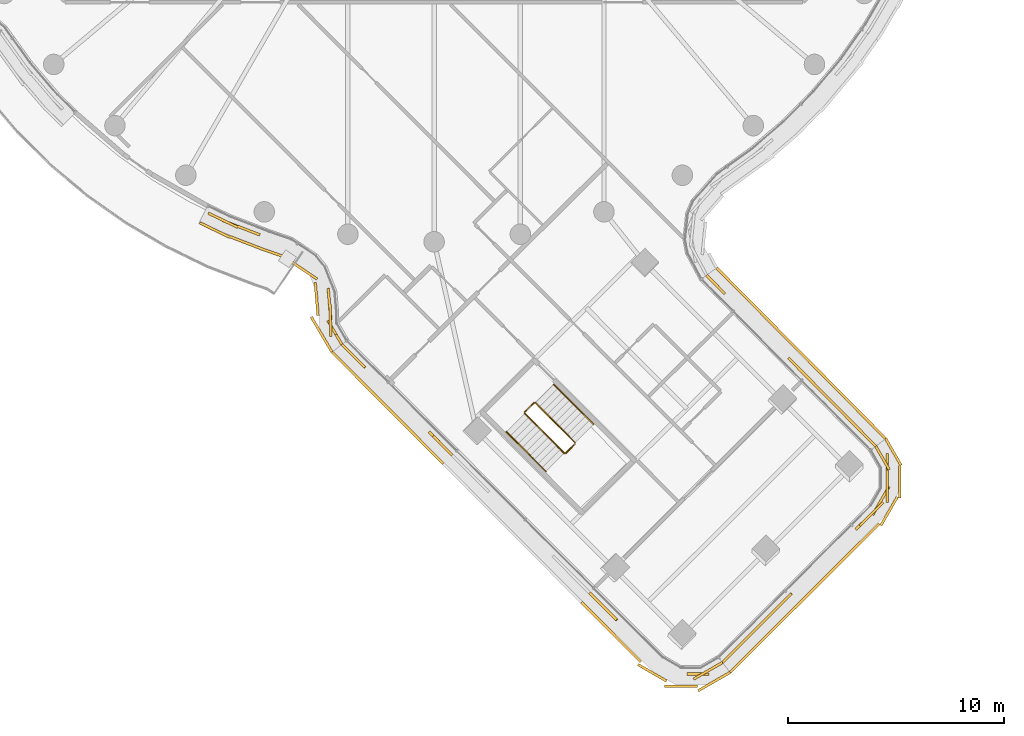
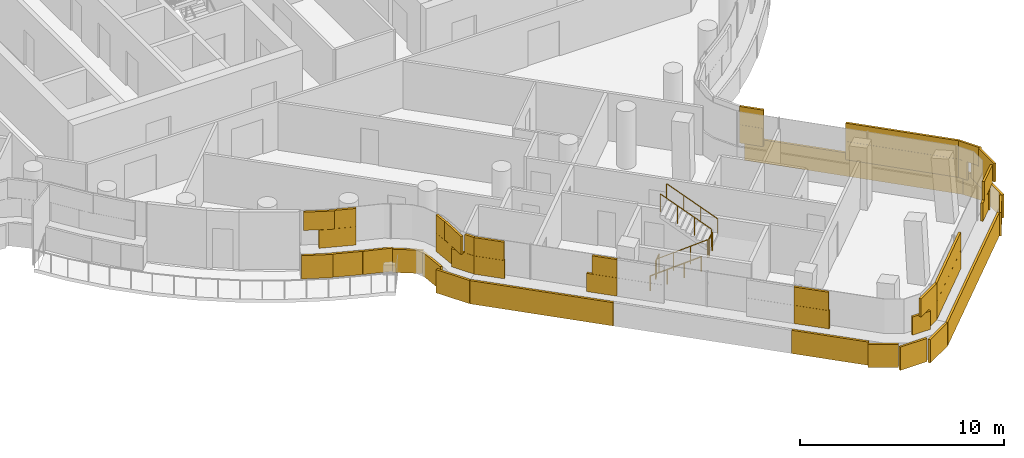
# One storey, part 25 of 31: 6 railings, 5 coverings.
"""IFC4 building model written with IfcOpenShell, lengths in metres."""

from ifc_helpers import new_model, si_unit, direction, frame, origin, origin_2d, place, context, subcontext, project, spatial, rectangle, circle, extrude, material, layer, layer_set, type_object, element, save


model = new_model("IFC4")

# Units and contexts
model_context = context("Model", 3, precision=1e-05, world=origin(), true_north=direction((0.0, 1.0)))
body_context = subcontext(model_context, "Body", "Model", "MODEL_VIEW")
ifc_project = project(units=[si_unit("LENGTHUNIT", "METRE"), si_unit("AREAUNIT", "SQUARE_METRE"), si_unit("VOLUMEUNIT", "CUBIC_METRE"), si_unit("PLANEANGLEUNIT", "RADIAN"), si_unit("MASSUNIT", "GRAM", prefix="KILO")], contexts=[model_context])

# Site, building, storey
site_placement = place(None, origin())
site = spatial("IfcSite", under=ifc_project, at=site_placement, CompositionType="ELEMENT")
building_placement = place(site_placement, origin())
building = spatial("IfcBuilding", under=site, at=building_placement, Name="Tamarind Cross Interchange Tower", CompositionType="ELEMENT")
storey_placement = place(building_placement, frame((0.0, 0.0, 196.89990234375)))
storey = spatial("IfcBuildingStorey", under=building, at=storey_placement, Name="L49", CompositionType="ELEMENT", Elevation=196.89990234375)

# Railings
ifc_material_1 = material(Name="Stair guard")
railing_type_1 = type_object("IfcRailingType", Name="Stair guard", PredefinedType="GUARDRAIL", material=ifc_material_1)
railing_1_placement = place(storey_placement, frame((4.19580078125, -30.9501953125, 0.163818359375)))
element("IfcRailing", 1, at=railing_1_placement, inside=storey, type_object=railing_type_1, Name="L49 ST6 stair guard 1", PredefinedType="GUARDRAIL", context=body_context, shape_type="SweptSolid", body=[
    extrude(circle(Radius=0.02392578125, at=origin_2d()), frame((0.0, 0.0, 1.076171875), z_axis=(0.59770750568, -0.599217470128, 0.532620090822), x_axis=(0.707998258763, 0.70621417827, 0.0)), (0.0, 0.0, 1.0), 3.072021484375),
    extrude(circle(Radius=0.02099609375, at=origin_2d()), origin(), (0.0, 0.0, 1.0), 1.052001953125),
    extrude(circle(Radius=0.02099609375, at=origin_2d()), frame((0.612060546875, -0.613525390625, 0.54541015625)), (0.0, 0.0, 1.0), 1.052001953125),
    extrude(circle(Radius=0.02099609375, at=origin_2d()), frame((1.22412109375, -1.227294921875, 1.0908203125)), (0.0, 0.0, 1.0), 1.052001953125),
    extrude(circle(Radius=0.02099609375, at=origin_2d()), frame((1.836181640625, -1.8408203125, 1.63623046875)), (0.0, 0.0, 1.0), 1.052001953125),
])
railing_2_placement = place(storey_placement, frame((6.1025390625, -32.791259765625, 1.800048828125)))
element("IfcRailing", 2, at=railing_2_placement, inside=storey, type_object=railing_type_1, Name="L49 ST6 stair guard 2", PredefinedType="GUARDRAIL", context=body_context, shape_type="SweptSolid", body=[
    extrude(circle(Radius=0.02392578125, at=origin_2d()), frame((0.0, 0.0, 1.076171875), z_axis=(0.70792001417, 0.706292611839, 0.0), x_axis=(-0.706292611839, 0.70792001417, 0.0)), (0.0, 0.0, 1.0), 0.60009765625),
    extrude(circle(Radius=0.02099609375, at=origin_2d()), origin(), (0.0, 0.0, 1.0), 1.052001953125),
    extrude(circle(Radius=0.02099609375, at=origin_2d()), frame((0.4248046875, 0.423828125, 0.0)), (0.0, 0.0, 1.0), 1.052001953125),
])
railing_3_placement = place(storey_placement, frame((6.527587890625, -32.296875, 1.963623046875)))
element("IfcRailing", 3, at=railing_3_placement, inside=storey, type_object=railing_type_1, Name="L49 ST6 stair guard 3", PredefinedType="GUARDRAIL", context=body_context, shape_type="SweptSolid", body=[
    extrude(circle(Radius=0.02392578125, at=origin_2d()), frame((0.0, 0.0, 1.076171875), z_axis=(-0.597682205466, 0.599192105999, 0.532677014126), x_axis=(-0.707998258763, -0.70621417827, 0.0)), (0.0, 0.0, 1.0), 3.072265625),
    extrude(circle(Radius=0.02099609375, at=origin_2d()), origin(), (0.0, 0.0, 1.0), 1.052001953125),
    extrude(circle(Radius=0.02099609375, at=origin_2d()), frame((-0.612060546875, 0.613525390625, 0.54541015625)), (0.0, 0.0, 1.0), 1.052001953125),
    extrude(circle(Radius=0.02099609375, at=origin_2d()), frame((-1.22412109375, 1.227294921875, 1.091064453125)), (0.0, 0.0, 1.0), 1.052001953125),
    extrude(circle(Radius=0.02099609375, at=origin_2d()), frame((-1.836181640625, 1.8408203125, 1.636474609375)), (0.0, 0.0, 1.0), 1.052001953125),
])
railing_4_placement = place(storey_placement, frame((4.19580078125, -30.879638671875, 0.0)))
element("IfcRailing", 4, at=railing_4_placement, inside=storey, type_object=railing_type_1, Name="L49 ST6 stair guard 4", PredefinedType="GUARDRAIL", context=body_context, shape_type="SweptSolid", body=[
    extrude(circle(Radius=0.02392578125, at=origin_2d()), frame((0.0, 0.0, 1.076171875), z_axis=(0.70792001417, 0.706292611839, 0.0), x_axis=(-0.706292611839, 0.70792001417, 0.0)), (0.0, 0.0, 1.0), 0.60009765625),
    extrude(circle(Radius=0.02099609375, at=origin_2d()), origin(), (0.0, 0.0, 1.0), 1.052001953125),
    extrude(circle(Radius=0.02099609375, at=origin_2d()), frame((0.4248046875, 0.423828125, 0.0)), (0.0, 0.0, 1.0), 1.052001953125),
])
ifc_material_2 = material(Name="Stair handrail")
railing_type_2 = type_object("IfcRailingType", Name="Stair handrail", PredefinedType="HANDRAIL", material=ifc_material_2)
railing_5_placement = place(storey_placement, frame((3.34619140625, -31.7978515625, 0.163818359375)))
element("IfcRailing", 5, at=railing_5_placement, inside=storey, type_object=railing_type_2, Name="L49 ST6 stair handrail 1", PredefinedType="HANDRAIL", context=body_context, shape_type="SweptSolid", body=[
    extrude(circle(Radius=0.02392578125, at=origin_2d()), frame((0.0, 0.0, 0.8759765625), z_axis=(0.59770750568, -0.599217470128, 0.532620090822), x_axis=(0.707998258763, 0.70621417827, 0.0)), (0.0, 0.0, 1.0), 3.072021484375),
    extrude(circle(Radius=0.02099609375, at=origin_2d()), origin(), (0.0, 0.0, 1.0), 0.851806640625),
    extrude(circle(Radius=0.02099609375, at=origin_2d()), frame((0.612060546875, -0.613525390625, 0.54541015625)), (0.0, 0.0, 1.0), 0.851806640625),
    extrude(circle(Radius=0.02099609375, at=origin_2d()), frame((1.22412109375, -1.227294921875, 1.0908203125)), (0.0, 0.0, 1.0), 0.851806640625),
    extrude(circle(Radius=0.02099609375, at=origin_2d()), frame((1.836181640625, -1.8408203125, 1.63623046875)), (0.0, 0.0, 1.0), 0.851806640625),
])
railing_6_placement = place(storey_placement, frame((7.377197265625, -31.449462890625, 1.963623046875)))
element("IfcRailing", 6, at=railing_6_placement, inside=storey, type_object=railing_type_2, Name="L49 ST6 stair handrail 2", PredefinedType="HANDRAIL", context=body_context, shape_type="SweptSolid", body=[
    extrude(circle(Radius=0.02392578125, at=origin_2d()), frame((0.0, 0.0, 0.8759765625), z_axis=(-0.597682205466, 0.599192105999, 0.532677014126), x_axis=(-0.707998258763, -0.70621417827, 0.0)), (0.0, 0.0, 1.0), 3.072265625),
    extrude(circle(Radius=0.02099609375, at=origin_2d()), origin(), (0.0, 0.0, 1.0), 0.851806640625),
    extrude(circle(Radius=0.02099609375, at=origin_2d()), frame((-0.612060546875, 0.613525390625, 0.54541015625)), (0.0, 0.0, 1.0), 0.851806640625),
    extrude(circle(Radius=0.02099609375, at=origin_2d()), frame((-1.22412109375, 1.227294921875, 1.091064453125)), (0.0, 0.0, 1.0), 0.851806640625),
    extrude(circle(Radius=0.02099609375, at=origin_2d()), frame((-1.836181640625, 1.8408203125, 1.636474609375)), (0.0, 0.0, 1.0), 0.851806640625),
])

# Coverings
ifc_material_3 = material(Name="Terracotta", Category="masonry")
ifc_layer = layer(ifc_material_3, 0.1201171875)
ifc_layer_set = layer_set([ifc_layer], Name="Terracotta")
covering_type = type_object("IfcCoveringType", Name="Terracotta baguette screen unit", PredefinedType="MOLDING", material=ifc_layer_set)
covering_1_placement = place(storey_placement, origin())
element("IfcCovering", 7, at=covering_1_placement, inside=storey, type_object=covering_type, Name="SCR-L49-00-00", PredefinedType="MOLDING", context=body_context, shape_type="SweptSolid", body=[
    extrude(rectangle(XDim=0.760009765625, YDim=0.1201171875, at=origin_2d()), frame((13.62255859375, -42.2236328125, 1.404296875), z_axis=(0.0, 0.0, 1.0), x_axis=(0.708014520272, 0.706197875304, 0.0)), (0.0, 0.0, 1.0), 1.092041015625),
    extrude(rectangle(XDim=1.52001953125, YDim=0.1201171875, at=origin_2d()), frame((14.4189453125, -41.428955078125, 1.404296875), z_axis=(0.0, 0.0, 1.0), x_axis=(0.708014520272, 0.706197875304, 0.0)), (0.0, 0.0, 1.0), 1.092041015625),
    extrude(rectangle(XDim=1.52001953125, YDim=0.1201171875, at=origin_2d()), frame((15.48095703125, -40.36962890625, 1.404296875), z_axis=(0.0, 0.0, 1.0), x_axis=(0.708014520272, 0.706197875304, 0.0)), (0.0, 0.0, 1.0), 1.092041015625),
    extrude(rectangle(XDim=0.78466796875, YDim=0.1201171875, at=origin_2d()), frame((16.286376953125, -39.566650390625, 1.404296875), z_axis=(0.0, 0.0, 1.0), x_axis=(0.708014520272, 0.706197875304, 0.0)), (0.0, 0.0, 1.0), 1.092041015625),
    extrude(rectangle(XDim=1.03515625, YDim=0.1201171875, at=origin_2d()), frame((19.897216796875, -35.96484375, 1.404296875), z_axis=(0.0, 0.0, 1.0), x_axis=(0.708014520272, 0.706197875304, 0.0)), (0.0, 0.0, 1.0), 1.092041015625),
    extrude(rectangle(XDim=1.52001953125, YDim=0.1201171875, at=origin_2d()), frame((20.692626953125, -34.99755859375, 1.404296875), z_axis=(0.0, 0.0, 1.0), x_axis=(0.501112050779, 0.865382408282, 0.0)), (0.0, 0.0, 1.0), 1.092041015625),
    extrude(rectangle(XDim=1.52001953125, YDim=0.1201171875, at=origin_2d()), frame((20.991943359375, -33.57763671875, 1.404296875), z_axis=(0.0, 0.0, 1.0), x_axis=(0.001284561976, 0.99999917495, 0.0)), (0.0, 0.0, 1.0), 1.092041015625),
    extrude(rectangle(XDim=0.509521484375, YDim=0.1201171875, at=origin_2d()), frame((20.58251953125, -32.687255859375, 1.404296875), z_axis=(0.0, 0.0, 1.0), x_axis=(-0.498887124171, 0.866666970258, 0.0)), (0.0, 0.0, 1.0), 1.092041015625),
    extrude(rectangle(XDim=1.510009765625, YDim=0.1201171875, at=origin_2d()), frame((13.887939453125, -41.958740234375, 2.50390625), z_axis=(0.0, 0.0, 1.0), x_axis=(0.708014520272, 0.706197875304, 0.0)), (0.0, 0.0, 1.0), 1.092041015625),
    extrude(rectangle(XDim=1.52001953125, YDim=0.1201171875, at=origin_2d()), frame((14.949951171875, -40.8994140625, 2.50390625), z_axis=(0.0, 0.0, 1.0), x_axis=(0.708014520272, 0.706197875304, 0.0)), (0.0, 0.0, 1.0), 1.092041015625),
    extrude(rectangle(XDim=1.52001953125, YDim=0.1201171875, at=origin_2d()), frame((16.01220703125, -39.840087890625, 2.50390625), z_axis=(0.0, 0.0, 1.0), x_axis=(0.708014520272, 0.706197875304, 0.0)), (0.0, 0.0, 1.0), 1.092041015625),
    extrude(rectangle(XDim=1.52001953125, YDim=0.1201171875, at=origin_2d()), frame((20.26025390625, -35.60302734375, 2.50390625), z_axis=(0.0, 0.0, 1.0), x_axis=(0.708014520272, 0.706197875304, 0.0)), (0.0, 0.0, 1.0), 1.092041015625),
    extrude(rectangle(XDim=1.52001953125, YDim=0.1201171875, at=origin_2d()), frame((20.990966796875, -34.32763671875, 2.50390625), z_axis=(0.0, 0.0, 1.0), x_axis=(0.001284561976, 0.99999917495, 0.0)), (0.0, 0.0, 1.0), 1.092041015625),
    extrude(rectangle(XDim=1.259521484375, YDim=0.1201171875, at=origin_2d()), frame((20.76953125, -33.01220703125, 2.50390625), z_axis=(0.0, 0.0, 1.0), x_axis=(-0.498887124171, 0.866666970258, 0.0)), (0.0, 0.0, 1.0), 1.092041015625),
    extrude(rectangle(XDim=0.760009765625, YDim=0.1201171875, at=origin_2d()), frame((13.97802734375, -42.6796875, 0.004150390625), z_axis=(0.0, 0.0, 1.0), x_axis=(0.708014520272, 0.706197875304, 0.0)), (0.0, 0.0, 1.0), 1.39208984375),
    extrude(rectangle(XDim=1.52001953125, YDim=0.1201171875, at=origin_2d()), frame((14.77099609375, -41.888916015625, 0.004150390625), z_axis=(0.0, 0.0, 1.0), x_axis=(0.708014520272, 0.706197875304, 0.0)), (0.0, 0.0, 1.0), 1.39208984375),
    extrude(rectangle(XDim=1.52001953125, YDim=0.1201171875, at=origin_2d()), frame((15.8330078125, -40.82958984375, 0.004150390625), z_axis=(0.0, 0.0, 1.0), x_axis=(0.708014520272, 0.706197875304, 0.0)), (0.0, 0.0, 1.0), 1.39208984375),
    extrude(rectangle(XDim=1.52001953125, YDim=0.1201171875, at=origin_2d()), frame((16.89501953125, -39.770263671875, 0.004150390625), z_axis=(0.0, 0.0, 1.0), x_axis=(0.708014520272, 0.706197875304, 0.0)), (0.0, 0.0, 1.0), 1.39208984375),
    extrude(rectangle(XDim=1.52001953125, YDim=0.1201171875, at=origin_2d()), frame((17.95703125, -38.7109375, 0.004150390625), z_axis=(0.0, 0.0, 1.0), x_axis=(0.708014520272, 0.706197875304, 0.0)), (0.0, 0.0, 1.0), 1.39208984375),
    extrude(rectangle(XDim=1.52001953125, YDim=0.1201171875, at=origin_2d()), frame((19.01904296875, -37.651611328125, 0.004150390625), z_axis=(0.0, 0.0, 1.0), x_axis=(0.708014520272, 0.706197875304, 0.0)), (0.0, 0.0, 1.0), 1.39208984375),
    extrude(rectangle(XDim=1.52001953125, YDim=0.1201171875, at=origin_2d()), frame((20.0810546875, -36.59228515625, 0.004150390625), z_axis=(0.0, 0.0, 1.0), x_axis=(0.708014520272, 0.706197875304, 0.0)), (0.0, 0.0, 1.0), 1.39208984375),
    extrude(rectangle(XDim=1.52001953125, YDim=0.1201171875, at=origin_2d()), frame((21.07568359375, -35.481201171875, 0.004150390625), z_axis=(0.0, 0.0, 1.0), x_axis=(0.501112050779, 0.865382408282, 0.0)), (0.0, 0.0, 1.0), 1.39208984375),
    extrude(rectangle(XDim=1.52001953125, YDim=0.1201171875, at=origin_2d()), frame((21.565185546875, -34.112548828125, 0.004150390625), z_axis=(0.0, 0.0, 1.0), x_axis=(0.001284561976, 0.99999917495, 0.0)), (0.0, 0.0, 1.0), 1.39208984375),
    extrude(rectangle(XDim=1.42578125, YDim=0.1201171875, at=origin_2d()), frame((21.27392578125, -32.73779296875, 0.004150390625), z_axis=(0.0, 0.0, 1.0), x_axis=(-0.498887124171, 0.866666970258, 0.0)), (0.0, 0.0, 1.0), 1.39208984375),
])
covering_2_placement = place(storey_placement, origin())
element("IfcCovering", 8, at=covering_2_placement, inside=storey, type_object=covering_type, Name="SCR-L49-01-00", PredefinedType="MOLDING", context=body_context, shape_type="SweptSolid", body=[
    extrude(rectangle(XDim=0.760009765625, YDim=0.1201171875, at=origin_2d()), frame((20.194091796875, -32.204345703125, 1.404296875), z_axis=(0.0, 0.0, 1.0), x_axis=(-0.703443968525, 0.710750718006, 0.0)), (0.0, 0.0, 1.0), 1.092041015625),
    extrude(rectangle(XDim=1.52001953125, YDim=0.1201171875, at=origin_2d()), frame((19.402587890625, -31.40478515625, 1.404296875), z_axis=(0.0, 0.0, 1.0), x_axis=(-0.703443968525, 0.710750718006, 0.0)), (0.0, 0.0, 1.0), 1.092041015625),
    extrude(rectangle(XDim=1.52001953125, YDim=0.1201171875, at=origin_2d()), frame((18.347412109375, -30.338623046875, 1.404296875), z_axis=(0.0, 0.0, 1.0), x_axis=(-0.703443968525, 0.710750718006, 0.0)), (0.0, 0.0, 1.0), 1.092041015625),
    extrude(rectangle(XDim=1.52001953125, YDim=0.1201171875, at=origin_2d()), frame((17.292236328125, -29.2724609375, 1.404296875), z_axis=(0.0, 0.0, 1.0), x_axis=(-0.703443968525, 0.710750718006, 0.0)), (0.0, 0.0, 1.0), 1.092041015625),
    extrude(rectangle(XDim=0.5048828125, YDim=0.1201171875, at=origin_2d()), frame((16.590576171875, -28.5634765625, 1.404296875), z_axis=(0.0, 0.0, 1.0), x_axis=(-0.703443968525, 0.710750718006, 0.0)), (0.0, 0.0, 1.0), 1.092041015625),
    extrude(rectangle(XDim=1.19677734375, YDim=0.1201171875, at=origin_2d()), frame((13.041259765625, -24.97705078125, 1.404296875), z_axis=(0.0, 0.0, 1.0), x_axis=(-0.703443968525, 0.710750718006, 0.0)), (0.0, 0.0, 1.0), 1.092041015625),
    extrude(rectangle(XDim=1.510009765625, YDim=0.1201171875, at=origin_2d()), frame((19.93017578125, -31.937744140625, 2.50390625), z_axis=(0.0, 0.0, 1.0), x_axis=(-0.703443968525, 0.710750718006, 0.0)), (0.0, 0.0, 1.0), 1.092041015625),
    extrude(rectangle(XDim=1.52001953125, YDim=0.1201171875, at=origin_2d()), frame((18.875, -30.87158203125, 2.50390625), z_axis=(0.0, 0.0, 1.0), x_axis=(-0.703443968525, 0.710750718006, 0.0)), (0.0, 0.0, 1.0), 1.092041015625),
    extrude(rectangle(XDim=1.52001953125, YDim=0.1201171875, at=origin_2d()), frame((17.81982421875, -29.805419921875, 2.50390625), z_axis=(0.0, 0.0, 1.0), x_axis=(-0.703443968525, 0.710750718006, 0.0)), (0.0, 0.0, 1.0), 1.092041015625),
    extrude(rectangle(XDim=1.2548828125, YDim=0.1201171875, at=origin_2d()), frame((16.8544921875, -28.830078125, 2.50390625), z_axis=(0.0, 0.0, 1.0), x_axis=(-0.703443968525, 0.710750718006, 0.0)), (0.0, 0.0, 1.0), 1.092041015625),
    extrude(rectangle(XDim=0.565185546875, YDim=0.1201171875, at=origin_2d()), frame((13.266845703125, -25.205322265625, 2.50390625), z_axis=(0.0, 0.0, 1.0), x_axis=(-0.703443968525, 0.710750718006, 0.0)), (0.0, 0.0, 1.0), 1.092041015625),
    extrude(rectangle(XDim=0.65185546875, YDim=0.1201171875, at=origin_2d()), frame((12.845947265625, -24.77978515625, 2.50390625), z_axis=(0.0, 0.0, 1.0), x_axis=(-0.703443968525, 0.710750718006, 0.0)), (0.0, 0.0, 1.0), 1.092041015625),
    extrude(rectangle(XDim=0.760009765625, YDim=0.1201171875, at=origin_2d()), frame((20.65087890625, -31.849853515625, 0.004150390625), z_axis=(0.0, 0.0, 1.0), x_axis=(-0.703443968525, 0.710750718006, 0.0)), (0.0, 0.0, 1.0), 1.39208984375),
    extrude(rectangle(XDim=1.52001953125, YDim=0.1201171875, at=origin_2d()), frame((19.863037109375, -31.053955078125, 0.004150390625), z_axis=(0.0, 0.0, 1.0), x_axis=(-0.703443968525, 0.710750718006, 0.0)), (0.0, 0.0, 1.0), 1.39208984375),
    extrude(rectangle(XDim=1.52001953125, YDim=0.1201171875, at=origin_2d()), frame((18.807861328125, -29.98779296875, 0.004150390625), z_axis=(0.0, 0.0, 1.0), x_axis=(-0.703443968525, 0.710750718006, 0.0)), (0.0, 0.0, 1.0), 1.39208984375),
    extrude(rectangle(XDim=1.52001953125, YDim=0.1201171875, at=origin_2d()), frame((17.752685546875, -28.921630859375, 0.004150390625), z_axis=(0.0, 0.0, 1.0), x_axis=(-0.703443968525, 0.710750718006, 0.0)), (0.0, 0.0, 1.0), 1.39208984375),
    extrude(rectangle(XDim=1.52001953125, YDim=0.1201171875, at=origin_2d()), frame((16.697509765625, -27.85546875, 0.004150390625), z_axis=(0.0, 0.0, 1.0), x_axis=(-0.703443968525, 0.710750718006, 0.0)), (0.0, 0.0, 1.0), 1.39208984375),
    extrude(rectangle(XDim=1.52001953125, YDim=0.1201171875, at=origin_2d()), frame((15.642333984375, -26.789306640625, 0.004150390625), z_axis=(0.0, 0.0, 1.0), x_axis=(-0.703443968525, 0.710750718006, 0.0)), (0.0, 0.0, 1.0), 1.39208984375),
    extrude(rectangle(XDim=1.52001953125, YDim=0.1201171875, at=origin_2d()), frame((14.587158203125, -25.72314453125, 0.004150390625), z_axis=(0.0, 0.0, 1.0), x_axis=(-0.703443968525, 0.710750718006, 0.0)), (0.0, 0.0, 1.0), 1.39208984375),
    extrude(rectangle(XDim=1.3916015625, YDim=0.1201171875, at=origin_2d()), frame((13.5771484375, -24.70263671875, 0.004150390625), z_axis=(0.0, 0.0, 1.0), x_axis=(-0.703443968525, 0.710750718006, 0.0)), (0.0, 0.0, 1.0), 1.39208984375),
])
covering_3_placement = place(storey_placement, origin())
element("IfcCovering", 9, at=covering_3_placement, inside=storey, type_object=covering_type, Name="SCR-L49-10-01", PredefinedType="MOLDING", context=body_context, shape_type="SweptSolid", body=[
    extrude(rectangle(XDim=1.52001953125, YDim=0.1201171875, at=origin_2d()), frame((-9.082763671875, -22.290283203125, 1.404296875), z_axis=(0.0, 0.0, 1.0), x_axis=(0.933146843667, -0.359495435512, 0.0)), (0.0, 0.0, 1.0), 1.092041015625),
    extrude(rectangle(XDim=0.341796875, YDim=0.1201171875, at=origin_2d()), frame((-8.228271484375, -22.61962890625, 1.404296875), z_axis=(0.0, 0.0, 1.0), x_axis=(0.933146843667, -0.359495435512, 0.0)), (0.0, 0.0, 1.0), 1.092041015625),
    extrude(rectangle(XDim=1.47802734375, YDim=0.1201171875, at=origin_2d()), frame((-4.8447265625, -25.88916015625, 1.404296875), z_axis=(0.0, 0.0, 1.0), x_axis=(0.084883460386, -0.996390886225, 0.0)), (0.0, 0.0, 1.0), 1.092041015625),
    extrude(rectangle(XDim=1.28564453125, YDim=0.1201171875, at=origin_2d()), frame((-4.59765625, -27.205078125, 1.404296875), z_axis=(0.0, 0.0, 1.0), x_axis=(0.50736807767, -0.861729443481, 0.0)), (0.0, 0.0, 1.0), 1.092041015625),
    extrude(rectangle(XDim=1.52001953125, YDim=0.1201171875, at=origin_2d()), frame((-9.775634765625, -22.00439453125, 2.50390625), z_axis=(0.0, 0.0, 1.0), x_axis=(0.900272776334, -0.435326231914, 0.0)), (0.0, 0.0, 1.0), 1.092041015625),
    extrude(rectangle(XDim=1.091796875, YDim=0.1201171875, at=origin_2d()), frame((-8.578125, -22.48486328125, 2.50390625), z_axis=(0.0, 0.0, 1.0), x_axis=(0.933146843667, -0.359495435512, 0.0)), (0.0, 0.0, 1.0), 1.092041015625),
    extrude(rectangle(XDim=0.72802734375, YDim=0.1201171875, at=origin_2d()), frame((-4.87646484375, -25.515625, 2.50390625), z_axis=(0.0, 0.0, 1.0), x_axis=(0.084883460386, -0.996390886225, 0.0)), (0.0, 0.0, 1.0), 1.092041015625),
    extrude(rectangle(XDim=1.52001953125, YDim=0.1201171875, at=origin_2d()), frame((-4.804443359375, -26.621826171875, 2.50390625), z_axis=(0.0, 0.0, 1.0), x_axis=(0.028152482558, -0.999603640312, 0.0)), (0.0, 0.0, 1.0), 1.092041015625),
    extrude(rectangle(XDim=0.53564453125, YDim=0.1201171875, at=origin_2d()), frame((-4.4072265625, -27.5283203125, 2.50390625), z_axis=(0.0, 0.0, 1.0), x_axis=(0.50736807767, -0.861729443481, 0.0)), (0.0, 0.0, 1.0), 1.092041015625),
    extrude(rectangle(XDim=0.053955078125, YDim=0.1201171875, at=origin_2d()), frame((-10.824951171875, -22.134521484375, 0.004150390625), z_axis=(0.0, 0.0, 1.0), x_axis=(0.900272776334, -0.435326231914, 0.0)), (0.0, 0.0, 1.0), 1.39208984375),
    extrude(rectangle(XDim=1.52001953125, YDim=0.1201171875, at=origin_2d()), frame((-10.134521484375, -22.46826171875, 0.004150390625), z_axis=(0.0, 0.0, 1.0), x_axis=(0.900272776334, -0.435326231914, 0.0)), (0.0, 0.0, 1.0), 1.39208984375),
    extrude(rectangle(XDim=1.52001953125, YDim=0.1201171875, at=origin_2d()), frame((-8.74658203125, -23.03515625, 0.004150390625), z_axis=(0.0, 0.0, 1.0), x_axis=(0.933146843667, -0.359495435512, 0.0)), (0.0, 0.0, 1.0), 1.39208984375),
    extrude(rectangle(XDim=1.52001953125, YDim=0.1201171875, at=origin_2d()), frame((-7.33935546875, -23.553466796875, 0.004150390625), z_axis=(0.0, 0.0, 1.0), x_axis=(0.945446581662, -0.325777164982, 0.0)), (0.0, 0.0, 1.0), 1.39208984375),
    extrude(rectangle(XDim=1.52001953125, YDim=0.1201171875, at=origin_2d()), frame((-6.051513671875, -24.3046875, 0.004150390625), z_axis=(0.0, 0.0, 1.0), x_axis=(0.830711967262, -0.556702458632, 0.0)), (0.0, 0.0, 1.0), 1.39208984375),
    extrude(rectangle(XDim=1.52001953125, YDim=0.1201171875, at=origin_2d()), frame((-5.441162109375, -25.65087890625, 0.004150390625), z_axis=(0.0, 0.0, 1.0), x_axis=(0.084883460386, -0.996390886225, 0.0)), (0.0, 0.0, 1.0), 1.39208984375),
    extrude(rectangle(XDim=1.52001953125, YDim=0.1201171875, at=origin_2d()), frame((-5.306640625, -27.1318359375, 0.004150390625), z_axis=(0.0, 0.0, 1.0), x_axis=(0.50736807767, -0.861729443481, 0.0)), (0.0, 0.0, 1.0), 1.39208984375),
    extrude(rectangle(XDim=0.393310546875, YDim=0.1201171875, at=origin_2d()), frame((-4.83154296875, -27.939208984375, 0.004150390625), z_axis=(0.0, 0.0, 1.0), x_axis=(0.50736807767, -0.861729443481, 0.0)), (0.0, 0.0, 1.0), 1.39208984375),
])
covering_4_placement = place(storey_placement, origin())
element("IfcCovering", 10, at=covering_4_placement, inside=storey, type_object=covering_type, Name="SCR-L49-11-00", PredefinedType="MOLDING", context=body_context, shape_type="SweptSolid", body=[
    extrude(rectangle(XDim=0.760009765625, YDim=0.1201171875, at=origin_2d()), frame((-4.009033203125, -28.020263671875, 1.404296875), z_axis=(0.0, 0.0, 1.0), x_axis=(0.706197875304, -0.708014520272, 0.0)), (0.0, 0.0, 1.0), 1.092041015625),
    extrude(rectangle(XDim=0.7802734375, YDim=0.1201171875, at=origin_2d()), frame((-3.472412109375, -28.558349609375, 1.404296875), z_axis=(0.0, 0.0, 1.0), x_axis=(0.706197875304, -0.708014520272, 0.0)), (0.0, 0.0, 1.0), 1.092041015625),
    extrude(rectangle(XDim=1.039794921875, YDim=0.1201171875, at=origin_2d()), frame((0.129150390625, -32.169189453125, 1.404296875), z_axis=(0.0, 0.0, 1.0), x_axis=(0.706197875304, -0.708014520272, 0.0)), (0.0, 0.0, 1.0), 1.092041015625),
    extrude(rectangle(XDim=0.50048828125, YDim=0.1201171875, at=origin_2d()), frame((0.666015625, -32.70751953125, 1.404296875), z_axis=(0.0, 0.0, 1.0), x_axis=(0.706197875304, -0.708014520272, 0.0)), (0.0, 0.0, 1.0), 1.092041015625),
    extrude(rectangle(XDim=1.510009765625, YDim=0.1201171875, at=origin_2d()), frame((-3.744384765625, -28.28564453125, 2.50390625), z_axis=(0.0, 0.0, 1.0), x_axis=(0.706197875304, -0.708014520272, 0.0)), (0.0, 0.0, 1.0), 1.092041015625),
    extrude(rectangle(XDim=1.25048828125, YDim=0.1201171875, at=origin_2d()), frame((0.401123046875, -32.44189453125, 2.50390625), z_axis=(0.0, 0.0, 1.0), x_axis=(0.706197875304, -0.708014520272, 0.0)), (0.0, 0.0, 1.0), 1.092041015625),
    extrude(rectangle(XDim=0.760009765625, YDim=0.1201171875, at=origin_2d()), frame((-4.46337890625, -28.377685546875, 0.004150390625), z_axis=(0.0, 0.0, 1.0), x_axis=(0.706197875304, -0.708014520272, 0.0)), (0.0, 0.0, 1.0), 1.39208984375),
    extrude(rectangle(XDim=1.52001953125, YDim=0.1201171875, at=origin_2d()), frame((-3.67236328125, -29.170654296875, 0.004150390625), z_axis=(0.0, 0.0, 1.0), x_axis=(0.706197875304, -0.708014520272, 0.0)), (0.0, 0.0, 1.0), 1.39208984375),
    extrude(rectangle(XDim=1.52001953125, YDim=0.1201171875, at=origin_2d()), frame((-2.613037109375, -30.232666015625, 0.004150390625), z_axis=(0.0, 0.0, 1.0), x_axis=(0.706197875304, -0.708014520272, 0.0)), (0.0, 0.0, 1.0), 1.39208984375),
    extrude(rectangle(XDim=1.52001953125, YDim=0.1201171875, at=origin_2d()), frame((-1.5537109375, -31.294677734375, 0.004150390625), z_axis=(0.0, 0.0, 1.0), x_axis=(0.706197875304, -0.708014520272, 0.0)), (0.0, 0.0, 1.0), 1.39208984375),
    extrude(rectangle(XDim=1.52001953125, YDim=0.1201171875, at=origin_2d()), frame((-0.49462890625, -32.356689453125, 0.004150390625), z_axis=(0.0, 0.0, 1.0), x_axis=(0.706197875304, -0.708014520272, 0.0)), (0.0, 0.0, 1.0), 1.39208984375),
    extrude(rectangle(XDim=0.552001953125, YDim=0.1201171875, at=origin_2d()), frame((0.222900390625, -33.076171875, 0.004150390625), z_axis=(0.0, 0.0, 1.0), x_axis=(0.706197875304, -0.708014520272, 0.0)), (0.0, 0.0, 1.0), 1.39208984375),
])
covering_5_placement = place(storey_placement, origin())
element("IfcCovering", 11, at=covering_5_placement, inside=storey, type_object=covering_type, Name="SCR-L49-11-02", PredefinedType="MOLDING", context=body_context, shape_type="SweptSolid", body=[
    extrude(rectangle(XDim=1.009521484375, YDim=0.1201171875, at=origin_2d()), frame((7.554931640625, -39.6142578125, 1.404296875), z_axis=(0.0, 0.0, 1.0), x_axis=(0.706197875304, -0.708014520272, 0.0)), (0.0, 0.0, 1.0), 1.092041015625),
    extrude(rectangle(XDim=0.800537109375, YDim=0.1201171875, at=origin_2d()), frame((8.18701171875, -40.247802734375, 1.404296875), z_axis=(0.0, 0.0, 1.0), x_axis=(0.706197875304, -0.708014520272, 0.0)), (0.0, 0.0, 1.0), 1.092041015625),
    extrude(rectangle(XDim=1.01953125, YDim=0.1201171875, at=origin_2d()), frame((12.214599609375, -43.0224609375, 1.404296875), z_axis=(0.0, 0.0, 1.0), x_axis=(0.99999917495, -0.001284561976, 0.0)), (0.0, 0.0, 1.0), 1.092041015625),
    extrude(rectangle(XDim=0.79052734375, YDim=0.1201171875, at=origin_2d()), frame((13.018798828125, -42.68310546875, 1.404296875), z_axis=(0.0, 0.0, 1.0), x_axis=(0.866666970258, 0.498887124171, 0.0)), (0.0, 0.0, 1.0), 1.092041015625),
    extrude(rectangle(XDim=0.259521484375, YDim=0.1201171875, at=origin_2d()), frame((7.290283203125, -39.3486328125, 2.50390625), z_axis=(0.0, 0.0, 1.0), x_axis=(0.706197875304, -0.708014520272, 0.0)), (0.0, 0.0, 1.0), 1.092041015625),
    extrude(rectangle(XDim=1.52001953125, YDim=0.1201171875, at=origin_2d()), frame((7.907958984375, -39.968017578125, 2.50390625), z_axis=(0.0, 0.0, 1.0), x_axis=(0.706197875304, -0.708014520272, 0.0)), (0.0, 0.0, 1.0), 1.092041015625),
    extrude(rectangle(XDim=1.52001953125, YDim=0.1201171875, at=origin_2d()), frame((12.6806640625, -42.877685546875, 2.50390625), z_axis=(0.0, 0.0, 1.0), x_axis=(0.866666970258, 0.498887124171, 0.0)), (0.0, 0.0, 1.0), 1.092041015625),
    extrude(rectangle(XDim=0.04052734375, YDim=0.1201171875, at=origin_2d()), frame((13.34375, -42.495849609375, 2.50390625), z_axis=(0.0, 0.0, 1.0), x_axis=(0.866666970258, 0.498887124171, 0.0)), (0.0, 0.0, 1.0), 1.092041015625),
    extrude(rectangle(XDim=0.8935546875, YDim=0.1201171875, at=origin_2d()), frame((7.141845703125, -40.0126953125, 0.004150390625), z_axis=(0.0, 0.0, 1.0), x_axis=(0.706197875304, -0.708014520272, 0.0)), (0.0, 0.0, 1.0), 1.39208984375),
    extrude(rectangle(XDim=1.52001953125, YDim=0.1201171875, at=origin_2d()), frame((7.979736328125, -40.852783203125, 0.004150390625), z_axis=(0.0, 0.0, 1.0), x_axis=(0.706197875304, -0.708014520272, 0.0)), (0.0, 0.0, 1.0), 1.39208984375),
    extrude(rectangle(XDim=1.52001953125, YDim=0.1201171875, at=origin_2d()), frame((9.0390625, -41.914794921875, 0.004150390625), z_axis=(0.0, 0.0, 1.0), x_axis=(0.706197875304, -0.708014520272, 0.0)), (0.0, 0.0, 1.0), 1.39208984375),
    extrude(rectangle(XDim=1.52001953125, YDim=0.1201171875, at=origin_2d()), frame((10.10595703125, -42.967041015625, 0.004150390625), z_axis=(0.0, 0.0, 1.0), x_axis=(0.865382408282, -0.501112050779, 0.0)), (0.0, 0.0, 1.0), 1.39208984375),
    extrude(rectangle(XDim=1.52001953125, YDim=0.1201171875, at=origin_2d()), frame((11.437255859375, -43.595458984375, 0.004150390625), z_axis=(0.0, 0.0, 1.0), x_axis=(0.99999917495, -0.001284561976, 0.0)), (0.0, 0.0, 1.0), 1.39208984375),
    extrude(rectangle(XDim=1.52001953125, YDim=0.1201171875, at=origin_2d()), frame((12.889892578125, -43.419677734375, 0.004150390625), z_axis=(0.0, 0.0, 1.0), x_axis=(0.866666970258, 0.498887124171, 0.0)), (0.0, 0.0, 1.0), 1.39208984375),
    extrude(rectangle(XDim=0.205078125, YDim=0.1201171875, at=origin_2d()), frame((13.6201171875, -42.999267578125, 0.004150390625), z_axis=(0.0, 0.0, 1.0), x_axis=(0.866666970258, 0.498887124171, 0.0)), (0.0, 0.0, 1.0), 1.39208984375),
])

save(model, "model.ifc")
